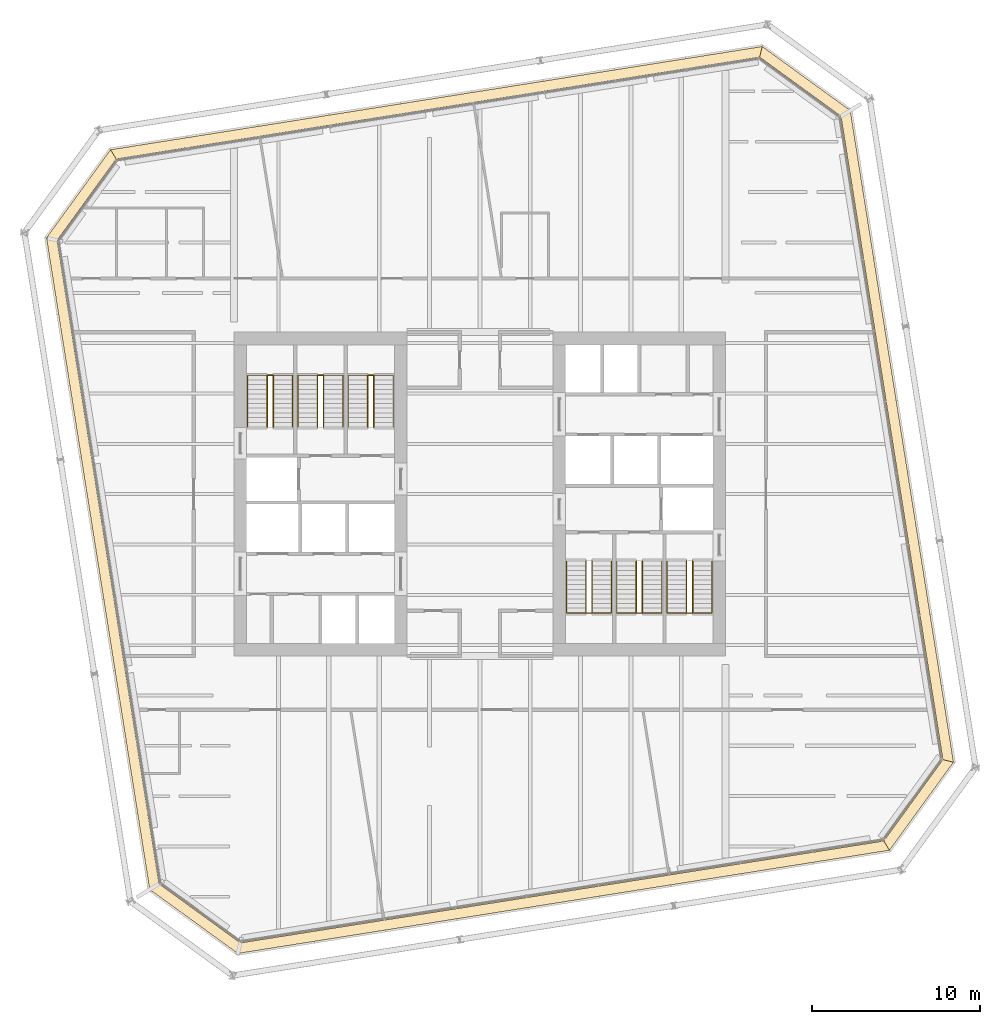
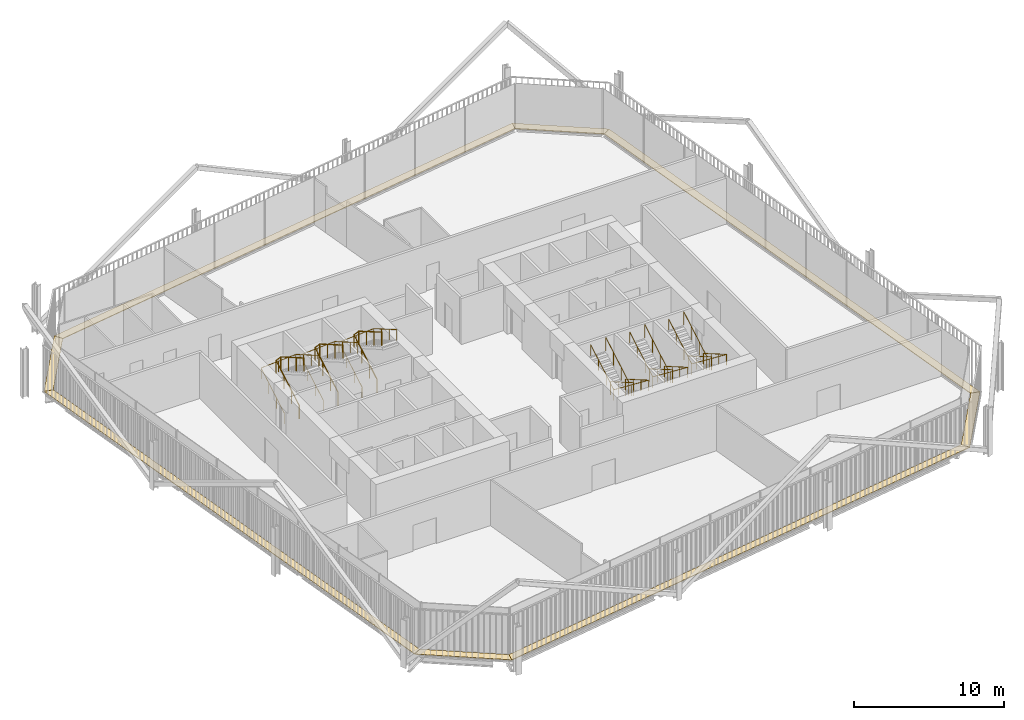
# One storey, part 19 of 19: 12 railings, 8 coverings.
"""IFC4 building model written with IfcOpenShell, lengths in metres."""

from ifc_helpers import new_model, si_unit, direction, frame, origin, origin_2d, place, context, subcontext, project, spatial, polyline, circle, outline, extrude, material, layer, layer_set, type_object, element, save


model = new_model("IFC4")

# Units and contexts
model_context = context("Model", 3, precision=1e-05, world=origin(), true_north=direction((0.0, 1.0)))
body_context = subcontext(model_context, "Body", "Model", "MODEL_VIEW")
ifc_project = project(units=[si_unit("LENGTHUNIT", "METRE"), si_unit("AREAUNIT", "SQUARE_METRE"), si_unit("VOLUMEUNIT", "CUBIC_METRE"), si_unit("PLANEANGLEUNIT", "RADIAN"), si_unit("MASSUNIT", "GRAM", prefix="KILO")], contexts=[model_context])

# Site, building, storey
site_placement = place(None, origin())
site = spatial("IfcSite", under=ifc_project, at=site_placement, CompositionType="ELEMENT")
building_placement = place(site_placement, origin())
building = spatial("IfcBuilding", under=site, at=building_placement, Name="Millrace Tower", CompositionType="ELEMENT")
storey_placement = place(building_placement, frame((0.0, 0.0, 129.5)))
storey = spatial("IfcBuildingStorey", under=building, at=storey_placement, Name="L28", CompositionType="ELEMENT", Elevation=129.5)

# Coverings
ifc_material_1 = material(Name="Steel ASTM A36", Category="steel")
ifc_layer = layer(ifc_material_1, 0.050048828125)
ifc_layer_set = layer_set([ifc_layer], Name="Steel ASTM A36")
covering_type = type_object("IfcCoveringType", Name="CAVITY CATWALK steel grating", PredefinedType="FLOORING", material=ifc_layer_set)
placement = place(storey_placement, frame((0.0, 0.0, 0.10009765625)))
element("IfcCovering", 1, at=placement, inside=storey, type_object=covering_type, Name="Cavity catwalk grating C-F01 L28 1", PredefinedType="FLOORING", context=body_context, shape_type="SweptSolid", body=[
    extrude(outline(polyline([(-19.67578125, -23.562255859375), (-14.425048828125, -27.376953125), (-14.2734375, -26.74560546875), (-19.1220703125, -23.222900390625), (-19.67578125, -23.562255859375)])), origin(), (0.0, 0.0, 1.0), 0.0498046875),
])
element("IfcCovering", 2, at=placement, inside=storey, type_object=covering_type, Name="Cavity catwalk grating C-F02 L28 1", PredefinedType="FLOORING", context=body_context, shape_type="SweptSolid", body=[
    extrude(outline(polyline([(-14.425048828125, -27.376953125), (24.412109375, -21.225830078125), (24.07275390625, -20.672119140625), (-14.2734375, -26.74560546875), (-14.425048828125, -27.376953125)])), origin(), (0.0, 0.0, 1.0), 0.0498046875),
])
element("IfcCovering", 3, at=placement, inside=storey, type_object=covering_type, Name="Cavity catwalk grating C-F03 L28 1", PredefinedType="FLOORING", context=body_context, shape_type="SweptSolid", body=[
    extrude(outline(polyline([(24.412109375, -21.225830078125), (28.22705078125, -15.97509765625), (27.595458984375, -15.823486328125), (24.07275390625, -20.672119140625), (24.412109375, -21.225830078125)])), origin(), (0.0, 0.0, 1.0), 0.0498046875),
])
element("IfcCovering", 4, at=placement, inside=storey, type_object=covering_type, Name="Cavity catwalk grating C-F04 L28 1", PredefinedType="FLOORING", context=body_context, shape_type="SweptSolid", body=[
    extrude(outline(polyline([(28.22705078125, -15.97509765625), (22.075927734375, 22.862060546875), (21.522216796875, 22.522705078125), (27.595458984375, -15.823486328125), (28.22705078125, -15.97509765625)])), origin(), (0.0, 0.0, 1.0), 0.0498046875),
])
element("IfcCovering", 5, at=placement, inside=storey, type_object=covering_type, Name="Cavity catwalk grating C-F05 L28 1", PredefinedType="FLOORING", context=body_context, shape_type="SweptSolid", body=[
    extrude(outline(polyline([(22.075927734375, 22.862060546875), (16.824951171875, 26.677001953125), (16.67333984375, 26.045654296875), (21.522216796875, 22.522705078125), (22.075927734375, 22.862060546875)])), origin(), (0.0, 0.0, 1.0), 0.0498046875),
])
element("IfcCovering", 6, at=placement, inside=storey, type_object=covering_type, Name="Cavity catwalk grating C-F06 L28 1", PredefinedType="FLOORING", context=body_context, shape_type="SweptSolid", body=[
    extrude(outline(polyline([(16.824951171875, 26.677001953125), (-22.01220703125, 20.52587890625), (-21.6728515625, 19.97216796875), (16.67333984375, 26.045654296875), (16.824951171875, 26.677001953125)])), origin(), (0.0, 0.0, 1.0), 0.0498046875),
])
element("IfcCovering", 7, at=placement, inside=storey, type_object=covering_type, Name="Cavity catwalk grating C-F07 L28 1", PredefinedType="FLOORING", context=body_context, shape_type="SweptSolid", body=[
    extrude(outline(polyline([(-22.01220703125, 20.52587890625), (-25.8271484375, 15.275146484375), (-25.195556640625, 15.12353515625), (-21.6728515625, 19.97216796875), (-22.01220703125, 20.52587890625)])), origin(), (0.0, 0.0, 1.0), 0.0498046875),
])
element("IfcCovering", 8, at=placement, inside=storey, type_object=covering_type, Name="Cavity catwalk grating C-F08 L28 1", PredefinedType="FLOORING", context=body_context, shape_type="SweptSolid", body=[
    extrude(outline(polyline([(-25.8271484375, 15.275146484375), (-19.67578125, -23.562255859375), (-19.1220703125, -23.222900390625), (-25.195556640625, 15.12353515625), (-25.8271484375, 15.275146484375)])), origin(), (0.0, 0.0, 1.0), 0.0498046875),
])

# Railings
ifc_material_2 = material(Name="Stainless steel ASTM A240 type 316", Category="steel")
railing_type_1 = type_object("IfcRailingType", Name="Stair guard 1100", PredefinedType="GUARDRAIL", material=ifc_material_2)
for number, where, name in (
    (9, (-12.679931640625, 4.0, 0.16259765625), "Stair guard 1 W L28"),
    (10, (-9.679931640625, 4.0, 0.16259765625), "Stair guard 2 W L28"),
    (11, (-6.679931640625, 4.0, 0.16259765625), "Stair guard 3 W L28"),
):
    element("IfcRailing", number, at=place(storey_placement, frame(where)), inside=storey, type_object=railing_type_1, Name=name, PredefinedType="GUARDRAIL", context=body_context, shape_type="SweptSolid", body=[
        extrude(circle(Radius=0.02392578125, at=origin_2d()), frame((0.0, 0.0, 1.076171875), z_axis=(0.0, 0.864920483161, 0.501908913857), x_axis=(-1.0, 0.0, 0.0)), (0.0, 0.0, 1.0), 3.56103515625),
        extrude(circle(Radius=0.02392578125, at=origin_2d()), frame((0.0, 3.080078125, 2.86328125), z_axis=(0.911295775139, 0.0, 0.411752365158), x_axis=(0.0, 1.0, 0.0)), (0.0, 0.0, 1.0), 0.394775390625),
        extrude(circle(Radius=0.02392578125, at=origin_2d()), frame((0.35986328125, 3.080078125, 3.02587890625), z_axis=(0.0, -0.864920483161, 0.501908913857), x_axis=(1.0, 0.0, 0.0)), (0.0, 0.0, 1.0), 3.56103515625),
        extrude(circle(Radius=0.02099609375, at=origin_2d()), origin(), (0.0, 0.0, 1.0), 1.052001953125),
        extrude(circle(Radius=0.02099609375, at=origin_2d()), frame((0.0, 1.026611328125, 0.595703125)), (0.0, 0.0, 1.0), 1.052001953125),
        extrude(circle(Radius=0.02099609375, at=origin_2d()), frame((0.0, 2.053466796875, 1.191650390625)), (0.0, 0.0, 1.0), 1.052001953125),
        extrude(circle(Radius=0.02099609375, at=origin_2d()), frame((0.0, 3.080078125, 1.787353515625)), (0.0, 0.0, 1.0), 1.052001953125),
        extrude(circle(Radius=0.02099609375, at=origin_2d()), frame((0.35986328125, 3.080078125, 1.949951171875)), (0.0, 0.0, 1.0), 1.052001953125),
        extrude(circle(Radius=0.02099609375, at=origin_2d()), frame((0.35986328125, 2.053466796875, 2.545654296875)), (0.0, 0.0, 1.0), 1.052001953125),
        extrude(circle(Radius=0.02099609375, at=origin_2d()), frame((0.35986328125, 1.026611328125, 3.1416015625)), (0.0, 0.0, 1.0), 1.052001953125),
        extrude(circle(Radius=0.02099609375, at=origin_2d()), frame((0.35986328125, 0.0, 3.7373046875)), (0.0, 0.0, 1.0), 1.052001953125),
    ])
for number, where, name in (
    (12, (12.679931640625, -4.0, 0.16259765625), "Stair guard 1 E L28"),
    (13, (9.679931640625, -4.0, 0.16259765625), "Stair guard 2 E L28"),
    (14, (6.679931640625, -4.0, 0.16259765625), "Stair guard 3 E L28"),
):
    element("IfcRailing", number, at=place(storey_placement, frame(where)), inside=storey, type_object=railing_type_1, Name=name, PredefinedType="GUARDRAIL", context=body_context, shape_type="SweptSolid", body=[
        extrude(circle(Radius=0.02392578125, at=origin_2d()), frame((0.0, 0.0, 1.076171875), z_axis=(0.0, -0.864920483161, 0.501908913857), x_axis=(1.0, 0.0, 0.0)), (0.0, 0.0, 1.0), 3.56103515625),
        extrude(circle(Radius=0.02392578125, at=origin_2d()), frame((0.0, -3.080078125, 2.86328125), z_axis=(-0.911295775139, 0.0, 0.411752365158), x_axis=(0.0, -1.0, 0.0)), (0.0, 0.0, 1.0), 0.394775390625),
        extrude(circle(Radius=0.02392578125, at=origin_2d()), frame((-0.35986328125, -3.080078125, 3.02587890625), z_axis=(0.0, 0.864920483161, 0.501908913857), x_axis=(-1.0, 0.0, 0.0)), (0.0, 0.0, 1.0), 3.56103515625),
        extrude(circle(Radius=0.02099609375, at=origin_2d()), origin(), (0.0, 0.0, 1.0), 1.052001953125),
        extrude(circle(Radius=0.02099609375, at=origin_2d()), frame((0.0, -1.026611328125, 0.595703125)), (0.0, 0.0, 1.0), 1.052001953125),
        extrude(circle(Radius=0.02099609375, at=origin_2d()), frame((0.0, -2.053466796875, 1.191650390625)), (0.0, 0.0, 1.0), 1.052001953125),
        extrude(circle(Radius=0.02099609375, at=origin_2d()), frame((0.0, -3.080078125, 1.787353515625)), (0.0, 0.0, 1.0), 1.052001953125),
        extrude(circle(Radius=0.02099609375, at=origin_2d()), frame((-0.35986328125, -3.080078125, 1.949951171875)), (0.0, 0.0, 1.0), 1.052001953125),
        extrude(circle(Radius=0.02099609375, at=origin_2d()), frame((-0.35986328125, -2.053466796875, 2.545654296875)), (0.0, 0.0, 1.0), 1.052001953125),
        extrude(circle(Radius=0.02099609375, at=origin_2d()), frame((-0.35986328125, -1.026611328125, 3.1416015625)), (0.0, 0.0, 1.0), 1.052001953125),
        extrude(circle(Radius=0.02099609375, at=origin_2d()), frame((-0.35986328125, 0.0, 3.7373046875)), (0.0, 0.0, 1.0), 1.052001953125),
    ])
ifc_material_3 = material(Name="Stainless steel ASTM A240 type 316", Category="steel")
railing_type_2 = type_object("IfcRailingType", Name="Stair handrail 900", PredefinedType="HANDRAIL", material=ifc_material_3)
railing_1_placement = place(storey_placement, frame((-13.840087890625, 4.0, 0.16259765625)))
element("IfcRailing", 15, at=railing_1_placement, inside=storey, type_object=railing_type_2, Name="Stair handrail 1 W L28", PredefinedType="HANDRAIL", context=body_context, shape_type="SweptSolid", body=[
    extrude(circle(Radius=0.02392578125, at=origin_2d()), frame((0.0, 0.0, 0.8759765625), z_axis=(0.0, 0.864920483161, 0.501908913857), x_axis=(-1.0, 0.0, 0.0)), (0.0, 0.0, 1.0), 3.56103515625),
    extrude(circle(Radius=0.02392578125, at=origin_2d()), frame((0.0, 3.080078125, 2.6630859375), z_axis=(0.998164834547, 0.0, 0.060555454528), x_axis=(0.0, 1.0, 0.0)), (0.0, 0.0, 1.0), 2.68505859375),
    extrude(circle(Radius=0.02392578125, at=origin_2d()), frame((2.68017578125, 3.080078125, 2.82568359375), z_axis=(0.0, -0.864920483161, 0.501908913857), x_axis=(1.0, 0.0, 0.0)), (0.0, 0.0, 1.0), 3.56103515625),
    extrude(circle(Radius=0.02099609375, at=origin_2d()), origin(), (0.0, 0.0, 1.0), 0.851806640625),
    extrude(circle(Radius=0.02099609375, at=origin_2d()), frame((0.0, 1.026611328125, 0.595703125)), (0.0, 0.0, 1.0), 0.851806640625),
    extrude(circle(Radius=0.02099609375, at=origin_2d()), frame((0.0, 2.053466796875, 1.191650390625)), (0.0, 0.0, 1.0), 0.851806640625),
    extrude(circle(Radius=0.02099609375, at=origin_2d()), frame((0.0, 3.080078125, 1.787353515625)), (0.0, 0.0, 1.0), 0.851806640625),
    extrude(circle(Radius=0.02099609375, at=origin_2d()), frame((1.340087890625, 3.080078125, 1.86865234375)), (0.0, 0.0, 1.0), 0.851806640625),
    extrude(circle(Radius=0.02099609375, at=origin_2d()), frame((2.68017578125, 3.080078125, 1.949951171875)), (0.0, 0.0, 1.0), 0.851806640625),
    extrude(circle(Radius=0.02099609375, at=origin_2d()), frame((2.68017578125, 2.053466796875, 2.545654296875)), (0.0, 0.0, 1.0), 0.851806640625),
    extrude(circle(Radius=0.02099609375, at=origin_2d()), frame((2.68017578125, 1.026611328125, 3.1416015625)), (0.0, 0.0, 1.0), 0.851806640625),
    extrude(circle(Radius=0.02099609375, at=origin_2d()), frame((2.68017578125, 0.0, 3.7373046875)), (0.0, 0.0, 1.0), 0.851806640625),
])
railing_2_placement = place(storey_placement, frame((-10.840087890625, 4.0, 0.16259765625)))
element("IfcRailing", 16, at=railing_2_placement, inside=storey, type_object=railing_type_2, Name="Stair handrail 2 W L28", PredefinedType="HANDRAIL", context=body_context, shape_type="SweptSolid", body=[
    extrude(circle(Radius=0.02392578125, at=origin_2d()), frame((0.0, 0.0, 0.8759765625), z_axis=(0.0, 0.864920483161, 0.501908913857), x_axis=(-1.0, 0.0, 0.0)), (0.0, 0.0, 1.0), 3.56103515625),
    extrude(circle(Radius=0.02392578125, at=origin_2d()), frame((0.0, 3.080078125, 2.6630859375), z_axis=(0.998164834547, 0.0, 0.060555454528), x_axis=(0.0, 1.0, 0.0)), (0.0, 0.0, 1.0), 2.68505859375),
    extrude(circle(Radius=0.02392578125, at=origin_2d()), frame((2.68017578125, 3.080078125, 2.82568359375), z_axis=(0.0, -0.864920483161, 0.501908913857), x_axis=(1.0, 0.0, 0.0)), (0.0, 0.0, 1.0), 3.56103515625),
    extrude(circle(Radius=0.02099609375, at=origin_2d()), origin(), (0.0, 0.0, 1.0), 0.851806640625),
    extrude(circle(Radius=0.02099609375, at=origin_2d()), frame((0.0, 1.026611328125, 0.595703125)), (0.0, 0.0, 1.0), 0.851806640625),
    extrude(circle(Radius=0.02099609375, at=origin_2d()), frame((0.0, 2.053466796875, 1.191650390625)), (0.0, 0.0, 1.0), 0.851806640625),
    extrude(circle(Radius=0.02099609375, at=origin_2d()), frame((0.0, 3.080078125, 1.787353515625)), (0.0, 0.0, 1.0), 0.851806640625),
    extrude(circle(Radius=0.02099609375, at=origin_2d()), frame((1.340087890625, 3.080078125, 1.86865234375)), (0.0, 0.0, 1.0), 0.851806640625),
    extrude(circle(Radius=0.02099609375, at=origin_2d()), frame((2.68017578125, 3.080078125, 1.949951171875)), (0.0, 0.0, 1.0), 0.851806640625),
    extrude(circle(Radius=0.02099609375, at=origin_2d()), frame((2.68017578125, 2.053466796875, 2.545654296875)), (0.0, 0.0, 1.0), 0.851806640625),
    extrude(circle(Radius=0.02099609375, at=origin_2d()), frame((2.68017578125, 1.026611328125, 3.1416015625)), (0.0, 0.0, 1.0), 0.851806640625),
    extrude(circle(Radius=0.02099609375, at=origin_2d()), frame((2.68017578125, 0.0, 3.7373046875)), (0.0, 0.0, 1.0), 0.851806640625),
])
railing_3_placement = place(storey_placement, frame((-7.840087890625, 4.0, 0.16259765625)))
element("IfcRailing", 17, at=railing_3_placement, inside=storey, type_object=railing_type_2, Name="Stair handrail 3 W L28", PredefinedType="HANDRAIL", context=body_context, shape_type="SweptSolid", body=[
    extrude(circle(Radius=0.02392578125, at=origin_2d()), frame((0.0, 0.0, 0.8759765625), z_axis=(0.0, 0.864920483161, 0.501908913857), x_axis=(-1.0, 0.0, 0.0)), (0.0, 0.0, 1.0), 3.56103515625),
    extrude(circle(Radius=0.02392578125, at=origin_2d()), frame((0.0, 3.080078125, 2.6630859375), z_axis=(0.998164834547, 0.0, 0.060555454528), x_axis=(0.0, 1.0, 0.0)), (0.0, 0.0, 1.0), 2.68505859375),
    extrude(circle(Radius=0.02392578125, at=origin_2d()), frame((2.68017578125, 3.080078125, 2.82568359375), z_axis=(0.0, -0.864920483161, 0.501908913857), x_axis=(1.0, 0.0, 0.0)), (0.0, 0.0, 1.0), 3.56103515625),
    extrude(circle(Radius=0.02099609375, at=origin_2d()), origin(), (0.0, 0.0, 1.0), 0.851806640625),
    extrude(circle(Radius=0.02099609375, at=origin_2d()), frame((0.0, 1.026611328125, 0.595703125)), (0.0, 0.0, 1.0), 0.851806640625),
    extrude(circle(Radius=0.02099609375, at=origin_2d()), frame((0.0, 2.053466796875, 1.191650390625)), (0.0, 0.0, 1.0), 0.851806640625),
    extrude(circle(Radius=0.02099609375, at=origin_2d()), frame((0.0, 3.080078125, 1.787353515625)), (0.0, 0.0, 1.0), 0.851806640625),
    extrude(circle(Radius=0.02099609375, at=origin_2d()), frame((1.340087890625, 3.080078125, 1.86865234375)), (0.0, 0.0, 1.0), 0.851806640625),
    extrude(circle(Radius=0.02099609375, at=origin_2d()), frame((2.68017578125, 3.080078125, 1.949951171875)), (0.0, 0.0, 1.0), 0.851806640625),
    extrude(circle(Radius=0.02099609375, at=origin_2d()), frame((2.68017578125, 2.053466796875, 2.545654296875)), (0.0, 0.0, 1.0), 0.851806640625),
    extrude(circle(Radius=0.02099609375, at=origin_2d()), frame((2.68017578125, 1.026611328125, 3.1416015625)), (0.0, 0.0, 1.0), 0.851806640625),
    extrude(circle(Radius=0.02099609375, at=origin_2d()), frame((2.68017578125, 0.0, 3.7373046875)), (0.0, 0.0, 1.0), 0.851806640625),
])
railing_4_placement = place(storey_placement, frame((13.840087890625, -4.0, 0.16259765625)))
element("IfcRailing", 18, at=railing_4_placement, inside=storey, type_object=railing_type_2, Name="Stair handrail 1 E L28", PredefinedType="HANDRAIL", context=body_context, shape_type="SweptSolid", body=[
    extrude(circle(Radius=0.02392578125, at=origin_2d()), frame((0.0, 0.0, 0.8759765625), z_axis=(0.0, -0.864920483161, 0.501908913857), x_axis=(1.0, 0.0, 0.0)), (0.0, 0.0, 1.0), 3.56103515625),
    extrude(circle(Radius=0.02392578125, at=origin_2d()), frame((0.0, -3.080078125, 2.6630859375), z_axis=(-0.998164834547, 0.0, 0.060555454528), x_axis=(0.0, -1.0, 0.0)), (0.0, 0.0, 1.0), 2.68505859375),
    extrude(circle(Radius=0.02392578125, at=origin_2d()), frame((-2.68017578125, -3.080078125, 2.82568359375), z_axis=(0.0, 0.864920483161, 0.501908913857), x_axis=(-1.0, 0.0, 0.0)), (0.0, 0.0, 1.0), 3.56103515625),
    extrude(circle(Radius=0.02099609375, at=origin_2d()), origin(), (0.0, 0.0, 1.0), 0.851806640625),
    extrude(circle(Radius=0.02099609375, at=origin_2d()), frame((0.0, -1.026611328125, 0.595703125)), (0.0, 0.0, 1.0), 0.851806640625),
    extrude(circle(Radius=0.02099609375, at=origin_2d()), frame((0.0, -2.053466796875, 1.191650390625)), (0.0, 0.0, 1.0), 0.851806640625),
    extrude(circle(Radius=0.02099609375, at=origin_2d()), frame((0.0, -3.080078125, 1.787353515625)), (0.0, 0.0, 1.0), 0.851806640625),
    extrude(circle(Radius=0.02099609375, at=origin_2d()), frame((-1.340087890625, -3.080078125, 1.86865234375)), (0.0, 0.0, 1.0), 0.851806640625),
    extrude(circle(Radius=0.02099609375, at=origin_2d()), frame((-2.68017578125, -3.080078125, 1.949951171875)), (0.0, 0.0, 1.0), 0.851806640625),
    extrude(circle(Radius=0.02099609375, at=origin_2d()), frame((-2.68017578125, -2.053466796875, 2.545654296875)), (0.0, 0.0, 1.0), 0.851806640625),
    extrude(circle(Radius=0.02099609375, at=origin_2d()), frame((-2.68017578125, -1.026611328125, 3.1416015625)), (0.0, 0.0, 1.0), 0.851806640625),
    extrude(circle(Radius=0.02099609375, at=origin_2d()), frame((-2.68017578125, 0.0, 3.7373046875)), (0.0, 0.0, 1.0), 0.851806640625),
])
railing_5_placement = place(storey_placement, frame((10.840087890625, -4.0, 0.16259765625)))
element("IfcRailing", 19, at=railing_5_placement, inside=storey, type_object=railing_type_2, Name="Stair handrail 2 E L28", PredefinedType="HANDRAIL", context=body_context, shape_type="SweptSolid", body=[
    extrude(circle(Radius=0.02392578125, at=origin_2d()), frame((0.0, 0.0, 0.8759765625), z_axis=(0.0, -0.864920483161, 0.501908913857), x_axis=(1.0, 0.0, 0.0)), (0.0, 0.0, 1.0), 3.56103515625),
    extrude(circle(Radius=0.02392578125, at=origin_2d()), frame((0.0, -3.080078125, 2.6630859375), z_axis=(-0.998164834547, 0.0, 0.060555454528), x_axis=(0.0, -1.0, 0.0)), (0.0, 0.0, 1.0), 2.68505859375),
    extrude(circle(Radius=0.02392578125, at=origin_2d()), frame((-2.68017578125, -3.080078125, 2.82568359375), z_axis=(0.0, 0.864920483161, 0.501908913857), x_axis=(-1.0, 0.0, 0.0)), (0.0, 0.0, 1.0), 3.56103515625),
    extrude(circle(Radius=0.02099609375, at=origin_2d()), origin(), (0.0, 0.0, 1.0), 0.851806640625),
    extrude(circle(Radius=0.02099609375, at=origin_2d()), frame((0.0, -1.026611328125, 0.595703125)), (0.0, 0.0, 1.0), 0.851806640625),
    extrude(circle(Radius=0.02099609375, at=origin_2d()), frame((0.0, -2.053466796875, 1.191650390625)), (0.0, 0.0, 1.0), 0.851806640625),
    extrude(circle(Radius=0.02099609375, at=origin_2d()), frame((0.0, -3.080078125, 1.787353515625)), (0.0, 0.0, 1.0), 0.851806640625),
    extrude(circle(Radius=0.02099609375, at=origin_2d()), frame((-1.340087890625, -3.080078125, 1.86865234375)), (0.0, 0.0, 1.0), 0.851806640625),
    extrude(circle(Radius=0.02099609375, at=origin_2d()), frame((-2.68017578125, -3.080078125, 1.949951171875)), (0.0, 0.0, 1.0), 0.851806640625),
    extrude(circle(Radius=0.02099609375, at=origin_2d()), frame((-2.68017578125, -2.053466796875, 2.545654296875)), (0.0, 0.0, 1.0), 0.851806640625),
    extrude(circle(Radius=0.02099609375, at=origin_2d()), frame((-2.68017578125, -1.026611328125, 3.1416015625)), (0.0, 0.0, 1.0), 0.851806640625),
    extrude(circle(Radius=0.02099609375, at=origin_2d()), frame((-2.68017578125, 0.0, 3.7373046875)), (0.0, 0.0, 1.0), 0.851806640625),
])
railing_6_placement = place(storey_placement, frame((7.840087890625, -4.0, 0.16259765625)))
element("IfcRailing", 20, at=railing_6_placement, inside=storey, type_object=railing_type_2, Name="Stair handrail 3 E L28", PredefinedType="HANDRAIL", context=body_context, shape_type="SweptSolid", body=[
    extrude(circle(Radius=0.02392578125, at=origin_2d()), frame((0.0, 0.0, 0.8759765625), z_axis=(0.0, -0.864920483161, 0.501908913857), x_axis=(1.0, 0.0, 0.0)), (0.0, 0.0, 1.0), 3.56103515625),
    extrude(circle(Radius=0.02392578125, at=origin_2d()), frame((0.0, -3.080078125, 2.6630859375), z_axis=(-0.998164834547, 0.0, 0.060555454528), x_axis=(0.0, -1.0, 0.0)), (0.0, 0.0, 1.0), 2.68505859375),
    extrude(circle(Radius=0.02392578125, at=origin_2d()), frame((-2.68017578125, -3.080078125, 2.82568359375), z_axis=(0.0, 0.864920483161, 0.501908913857), x_axis=(-1.0, 0.0, 0.0)), (0.0, 0.0, 1.0), 3.56103515625),
    extrude(circle(Radius=0.02099609375, at=origin_2d()), origin(), (0.0, 0.0, 1.0), 0.851806640625),
    extrude(circle(Radius=0.02099609375, at=origin_2d()), frame((0.0, -1.026611328125, 0.595703125)), (0.0, 0.0, 1.0), 0.851806640625),
    extrude(circle(Radius=0.02099609375, at=origin_2d()), frame((0.0, -2.053466796875, 1.191650390625)), (0.0, 0.0, 1.0), 0.851806640625),
    extrude(circle(Radius=0.02099609375, at=origin_2d()), frame((0.0, -3.080078125, 1.787353515625)), (0.0, 0.0, 1.0), 0.851806640625),
    extrude(circle(Radius=0.02099609375, at=origin_2d()), frame((-1.340087890625, -3.080078125, 1.86865234375)), (0.0, 0.0, 1.0), 0.851806640625),
    extrude(circle(Radius=0.02099609375, at=origin_2d()), frame((-2.68017578125, -3.080078125, 1.949951171875)), (0.0, 0.0, 1.0), 0.851806640625),
    extrude(circle(Radius=0.02099609375, at=origin_2d()), frame((-2.68017578125, -2.053466796875, 2.545654296875)), (0.0, 0.0, 1.0), 0.851806640625),
    extrude(circle(Radius=0.02099609375, at=origin_2d()), frame((-2.68017578125, -1.026611328125, 3.1416015625)), (0.0, 0.0, 1.0), 0.851806640625),
    extrude(circle(Radius=0.02099609375, at=origin_2d()), frame((-2.68017578125, 0.0, 3.7373046875)), (0.0, 0.0, 1.0), 0.851806640625),
])

save(model, "model.ifc")
